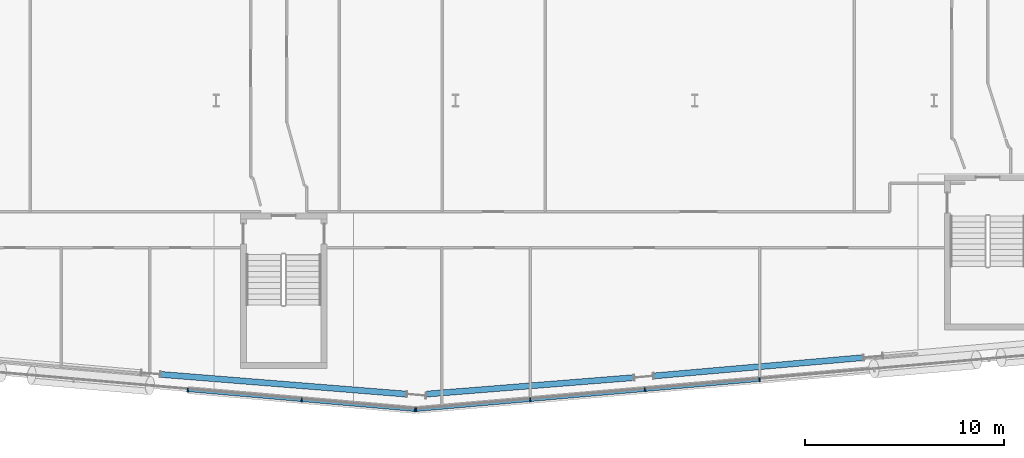
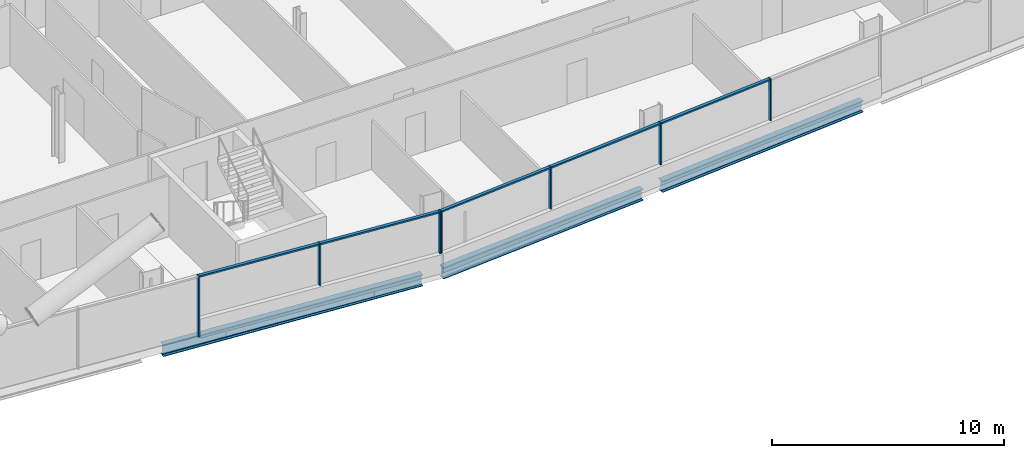
# One storey, part 6 of 27: 12 members, 3 beams, 2 elements without a shape of their own.
"""IFC4 building model written with IfcOpenShell, lengths in metres."""

import ifcopenshell
import ifcopenshell.guid

model = None  # the IFC model being written
_history = None  # IfcOwnerHistory: only IFC2X3 demands one
_inside = {}  # id of a spatial element -> (the spatial element, [elements in it])
_under = {}  # id of a project, library or spatial element -> (it, [spatial elements below it])
_declared = {}  # id of a project -> (the project, [libraries it declares])
_typed = {}  # id of a type object -> (the type object, [elements of that type])
_made_of = {}  # id of a material, layer set ... -> (it, [elements and type objects made of it])


def new_model(schema):
    """Start an empty IFC model of exactly this schema.

    Asked for "IFC4X3", IfcOpenShell would pick the latest addendum, in which some entities
    have other attributes; the version numbers below select the first issue.
    IFC2X3 requires an IfcOwnerHistory on every rooted entity: one is made here for all.
    """
    global model, _history
    if schema == "IFC4X3":
        model = ifcopenshell.file(schema_version=(4, 3, 0, 0))
    else:
        model = ifcopenshell.file(schema=schema)
    _inside.clear()
    _under.clear()
    _declared.clear()
    _typed.clear()
    _made_of.clear()
    _history = None
    if model.schema == "IFC2X3":
        org = make("IfcOrganization", Name="unknown")
        user = make(
            "IfcPersonAndOrganization",
            ThePerson=make("IfcPerson", FamilyName="unknown"),
            TheOrganization=org,
        )
        app = make(
            "IfcApplication",
            ApplicationDeveloper=org,
            Version="unknown",
            ApplicationFullName="unknown",
            ApplicationIdentifier="unknown",
        )
        _history = make(
            "IfcOwnerHistory",
            OwningUser=user,
            OwningApplication=app,
            ChangeAction="ADDED",
            CreationDate=0,
        )
    return model


def make(cls, **values):
    """One entity of the class cls with the attributes given. An attribute that is None is left unset."""
    return model.create_entity(
        cls, **{name: value for name, value in values.items() if value is not None}
    )


def rooted(cls, **values):
    """An entity with a GlobalId (a new one), such as an element, a storey or a relation."""
    return make(cls, GlobalId=ifcopenshell.guid.new(), OwnerHistory=_history, **values)


def si_unit(unit_type, name, prefix=None):
    """IfcSIUnit, for example si_unit("LENGTHUNIT", "METRE", prefix="MILLI")."""
    return make("IfcSIUnit", UnitType=unit_type, Prefix=prefix, Name=name)


def assignment(units):
    """IfcUnitAssignment: the units of a project."""
    return None if units is None else make("IfcUnitAssignment", Units=units)


def point(xyz):
    """IfcCartesianPoint."""
    return None if xyz is None else make("IfcCartesianPoint", Coordinates=xyz)


def direction(xyz):
    """IfcDirection."""
    return None if xyz is None else make("IfcDirection", DirectionRatios=xyz)


def frame(location, z_axis=None, x_axis=None):
    """IfcAxis2Placement3D, a coordinate frame: its origin and axes. An axis left out is left unset."""
    return make(
        "IfcAxis2Placement3D",
        Location=point(location),
        Axis=direction(z_axis),
        RefDirection=direction(x_axis),
    )


def frame_2d(location, x_axis=None):
    """IfcAxis2Placement2D, a coordinate frame in the plane: its origin and x axis."""
    return make(
        "IfcAxis2Placement2D", Location=point(location), RefDirection=direction(x_axis)
    )


def origin():
    """The frame at (0, 0, 0) with its axes left unset."""
    return frame((0.0, 0.0, 0.0))


def origin_2d():
    """The frame at (0, 0) in the plane with its x axis left unset."""
    return frame_2d((0.0, 0.0))


def place(relative_to, where):
    """IfcLocalPlacement: puts the frame where relative to a parent placement (None: the world)."""
    return make(
        "IfcLocalPlacement", PlacementRelTo=relative_to, RelativePlacement=where
    )


def context(
    kind, dimensions, precision=None, world=None, true_north=None, identifier=None
):
    """IfcGeometricRepresentationContext, for example the 3D "Model" context."""
    return make(
        "IfcGeometricRepresentationContext",
        ContextIdentifier=identifier,
        ContextType=kind,
        CoordinateSpaceDimension=dimensions,
        Precision=precision,
        WorldCoordinateSystem=world,
        TrueNorth=true_north,
    )


def subcontext(parent, identifier, kind, view, scale=None):
    """IfcGeometricRepresentationSubContext, for example "Body" below "Model"."""
    return make(
        "IfcGeometricRepresentationSubContext",
        ContextIdentifier=identifier,
        ContextType=kind,
        ParentContext=parent,
        TargetScale=scale,
        TargetView=view,
    )


def project(units=None, contexts=None):
    """IfcProject with its units and contexts."""
    return rooted(
        "IfcProject",
        Name="project",
        RepresentationContexts=contexts,
        UnitsInContext=assignment(units),
    )


def spatial(cls, under=None, at=None, **own):
    """A site, building, storey or space (cls), placed at a placement, below another one or the project."""
    s = rooted(cls, ObjectPlacement=at, **own)
    if under is not None:
        _under.setdefault(under.id(), (under, []))[1].append(s)
    return s


def profile(cls, at=None, kind="AREA", **sizes):
    """A parametric profile (cls). Its sizes go by their IFC names, for example OverallWidth=200.0."""
    return make(cls, ProfileType=kind, Position=at, **sizes)


def rectangle(**sizes):
    """IfcRectangleProfileDef."""
    return profile("IfcRectangleProfileDef", **sizes)


def i_section(**sizes):
    """IfcIShapeProfileDef."""
    return profile("IfcIShapeProfileDef", **sizes)


def extrude(swept, where, along, depth):
    """IfcExtrudedAreaSolid: the profile swept, set in the frame where, extruded along a direction by depth."""
    return make(
        "IfcExtrudedAreaSolid",
        SweptArea=swept,
        Position=where,
        ExtrudedDirection=direction(along),
        Depth=depth,
    )


def shape(context_of_items, identifier, shape_type, items):
    """IfcShapeRepresentation: the items that make up one representation, for example the "Body"."""
    return make(
        "IfcShapeRepresentation",
        ContextOfItems=context_of_items,
        RepresentationIdentifier=identifier,
        RepresentationType=shape_type,
        Items=items,
    )


def material(Name=None, Category=None):
    """IfcMaterial."""
    return make("IfcMaterial", Name=Name, Category=Category)


def material_profile(
    of_material, cross_section, Name=None, Category=None, Priority=None
):
    """IfcMaterialProfile: a cross section and its material."""
    return make(
        "IfcMaterialProfile",
        Name=Name,
        Material=of_material,
        Profile=cross_section,
        Priority=Priority,
        Category=Category,
    )


def profile_set(profiles, Name=None, composite=None):
    """IfcMaterialProfileSet."""
    return make(
        "IfcMaterialProfileSet",
        Name=Name,
        MaterialProfiles=profiles,
        CompositeProfile=composite,
    )


def made_of(thing, what):
    """Note that an element or type object is made of a material, layer set ...; save() writes the relation."""
    if what is not None:
        _made_of.setdefault(what.id(), (what, []))[1].append(thing)
    return thing


def type_object(cls, material=None, **own):
    """A type object (cls), such as IfcWallType, which elements share."""
    return made_of(rooted(cls, **own), material)


def element(
    cls,
    number,
    at=None,
    inside=None,
    cuts=None,
    type_object=None,
    material=None,
    context=None,
    identifier="Body",
    shape_type=None,
    held_by="IfcProductDefinitionShape",
    body=None,
    shapes=None,
    **own,
):
    """One element of the class cls, such as IfcWall. Its Tag is "e" and its number.

    at: its placement. inside: the storey or other place that contains it. cuts: it is an
    opening in that element (IfcRelVoidsElement). A single representation is given by context,
    identifier, shape_type and body (its items); several are given by shapes. held_by: the class
    of the entity that holds the representations. save() writes the other relations.
    """
    e = rooted(cls, Tag="e%d" % number, ObjectPlacement=at, **own)
    if body is not None:
        shapes = [shape(context, identifier, shape_type, body)]
    if shapes is not None:
        e.Representation = make(held_by, Representations=shapes)
    if inside is not None:
        _inside.setdefault(inside.id(), (inside, []))[1].append(e)
    if cuts is not None:
        rooted(
            "IfcRelVoidsElement", RelatingBuildingElement=cuts, RelatedOpeningElement=e
        )
    if type_object is not None:
        _typed.setdefault(type_object.id(), (type_object, []))[1].append(e)
    return made_of(e, material)


def aggregate(whole, parts):
    """IfcRelAggregates: a whole, such as a stair, and the parts it consists of."""
    return rooted("IfcRelAggregates", RelatingObject=whole, RelatedObjects=parts)


def save(model, path):
    """Write the relations noted so far, then the file.

    IfcRelAggregates (storeys below a building ...), IfcRelContainedInSpatialStructure (elements
    in a storey), IfcRelDefinesByType, IfcRelAssociatesMaterial and IfcRelDeclares: one each for
    every whole, place, type object, material and project.
    """
    for whole, parts in _under.values():
        aggregate(whole, parts)
    for where, things in _inside.values():
        rooted(
            "IfcRelContainedInSpatialStructure",
            RelatedElements=things,
            RelatingStructure=where,
        )
    for kind, things in _typed.values():
        rooted("IfcRelDefinesByType", RelatedObjects=things, RelatingType=kind)
    for what, things in _made_of.values():
        rooted("IfcRelAssociatesMaterial", RelatedObjects=things, RelatingMaterial=what)
    for by, libraries in _declared.values():
        rooted("IfcRelDeclares", RelatingContext=by, RelatedDefinitions=libraries)
    model.write(path)


model = new_model("IFC4")

# Units and contexts
model_context = context("Model", 3, precision=1e-05, world=origin(), true_north=direction((0.0, 1.0)))
body_context = subcontext(model_context, "Body", "Model", "MODEL_VIEW")
ifc_project = project(units=[si_unit("LENGTHUNIT", "METRE"), si_unit("AREAUNIT", "SQUARE_METRE"), si_unit("VOLUMEUNIT", "CUBIC_METRE"), si_unit("PLANEANGLEUNIT", "RADIAN"), si_unit("MASSUNIT", "GRAM", prefix="KILO")], contexts=[model_context])

# Site, building, storey
site_placement = place(None, origin())
site = spatial("IfcSite", under=ifc_project, at=site_placement, CompositionType="ELEMENT")
building_placement = place(site_placement, origin())
building = spatial("IfcBuilding", under=site, at=building_placement, Name="Wharfspan Tower", CompositionType="ELEMENT")
storey_placement = place(building_placement, frame((0.0, 0.0, 55.899902)))
storey = spatial("IfcBuildingStorey", under=building, at=storey_placement, Name="L10", CompositionType="ELEMENT", Elevation=55.899902)

# Beams
ifc_material_1 = material(Name="Steel S355J2", Category="steel")
ifc_material_profile_1 = material_profile(ifc_material_1, i_section(OverallWidth=0.300049, OverallDepth=0.600098, WebThickness=0.015381, FlangeThickness=0.030029, FilletRadius=0.0271, at=origin_2d()))
ifc_profile_set_1 = profile_set([ifc_material_profile_1], Name="Steel S355J2")
beam_type = type_object("IfcBeamType", Name="Edge beam HEB 600", PredefinedType="SPANDREL", material=ifc_profile_set_1)
beam_1_placement = place(storey_placement, frame((33.222656, -2.240479, -0.699951), z_axis=(0.996802, -0.079913, 0.0), x_axis=(0.079913, 0.996802, 0.0)))
element("IfcBeam", 1, at=beam_1_placement, inside=storey, type_object=beam_type, Name="Edge beam S1 L10 PS1.3 to PS1.4", PredefinedType="SPANDREL", context=body_context, shape_type="SweptSolid", body=[
    extrude(i_section(OverallWidth=0.300049, OverallDepth=0.600098, WebThickness=0.015381, FlangeThickness=0.030029, FilletRadius=0.0271, at=origin_2d()), origin(), (0.0, 0.0, 1.0), 12.36084),
])
beam_2_placement = place(storey_placement, frame((46.547852, -3.228027, -0.699951), z_axis=(0.996848, 0.079335, 0.0), x_axis=(-0.079335, 0.996848, 0.0)))
element("IfcBeam", 2, at=beam_2_placement, inside=storey, type_object=beam_type, Name="Edge beam S2 L10 PS1.4 to PS2.1", PredefinedType="SPANDREL", context=body_context, shape_type="SweptSolid", body=[
    extrude(i_section(OverallWidth=0.300049, OverallDepth=0.600098, WebThickness=0.015381, FlangeThickness=0.030029, FilletRadius=0.0271, at=origin_2d()), origin(), (0.0, 0.0, 1.0), 10.429199),
])
beam_3_placement = place(storey_placement, frame((57.940674, -2.317383, -0.699951), z_axis=(0.996195, 0.087155, 0.0), x_axis=(-0.087155, 0.996195, 0.0)))
element("IfcBeam", 3, at=beam_3_placement, inside=storey, type_object=beam_type, Name="Edge beam S2 L10 PS2.1 to PS2.2", PredefinedType="SPANDREL", context=body_context, shape_type="SweptSolid", body=[
    extrude(i_section(OverallWidth=0.300049, OverallDepth=0.600098, WebThickness=0.015381, FlangeThickness=0.030029, FilletRadius=0.0271, at=origin_2d()), origin(), (0.0, 0.0, 1.0), 10.543701),
])

# Curtain wall, members
ifc_material_2 = material(Name="Aluminium 6063-T6", Category="aluminium")
curtain_wall_type = type_object("IfcCurtainWallType", Name="CURTAIN WALL FACETED FRONT", PredefinedType="NOTDEFINED", material=ifc_material_2)
curtain_wall_1_placement = place(storey_placement, origin())
curtain_wall_1 = element("IfcCurtainWall", 4, at=curtain_wall_1_placement, inside=storey, type_object=curtain_wall_type, Name="Curtain wall S1", PredefinedType="NOTDEFINED")
ifc_material_profile_2 = material_profile(ifc_material_2, rectangle(XDim=0.199951, YDim=0.060059, at=origin_2d()))
ifc_profile_set_2 = profile_set([ifc_material_profile_2], Name="Aluminium 6063-T6")
member_type_1 = type_object("IfcMemberType", Name="MULLION FACETED FRONT 60x200", PredefinedType="MULLION", material=ifc_profile_set_2)
member_1_placement = place(storey_placement, frame((34.571533, -3.024658, 0.0), z_axis=(0.0, 0.0, 1.0), x_axis=(0.087156, 0.996197, 0.0)))
member_1 = element("IfcMember", 5, at=member_1_placement, type_object=member_type_1, Name="Curtain wall S1 mullion 6", PredefinedType="MULLION", context=body_context, shape_type="SweptSolid", body=[
    extrude(rectangle(XDim=0.199951, YDim=0.060059, at=origin_2d()), origin(), (0.0, 0.0, 1.0), 3.200195),
])
member_2_placement = place(storey_placement, frame((40.285645, -3.524658, 1.0), z_axis=(0.0, 0.0, 1.0), x_axis=(0.087156, 0.996197, 0.0)))
member_2 = element("IfcMember", 6, at=member_2_placement, type_object=member_type_1, Name="Curtain wall S1 mullion 7", PredefinedType="MULLION", context=body_context, shape_type="SweptSolid", body=[
    extrude(rectangle(XDim=0.199951, YDim=0.060059, at=origin_2d()), origin(), (0.0, 0.0, 1.0), 2.200195),
])
member_3_placement = place(storey_placement, frame((45.970215, -4.021973, 1.0), z_axis=(0.0, 0.0, 1.0), x_axis=(0.087156, 0.996197, 0.0)))
member_3 = element("IfcMember", 7, at=member_3_placement, type_object=member_type_1, Name="Curtain wall S1 mullion 8", PredefinedType="MULLION", context=body_context, shape_type="SweptSolid", body=[
    extrude(rectangle(XDim=0.199951, YDim=0.060059, at=origin_2d()), origin(), (0.0, 0.0, 1.0), 2.200195),
])

curtain_wall_2_placement = place(storey_placement, origin())
curtain_wall_2 = element("IfcCurtainWall", 8, at=curtain_wall_2_placement, inside=storey, type_object=curtain_wall_type, Name="Curtain wall S2", PredefinedType="NOTDEFINED")
member_4_placement = place(storey_placement, frame((46.029785, -4.021973, 1.0), z_axis=(0.0, 0.0, 1.0), x_axis=(-0.087156, 0.996197, 0.0)))
member_4 = element("IfcMember", 9, at=member_4_placement, type_object=member_type_1, Name="Curtain wall S2 mullion 1", PredefinedType="MULLION", context=body_context, shape_type="SweptSolid", body=[
    extrude(rectangle(XDim=0.199951, YDim=0.060059, at=origin_2d()), origin(), (0.0, 0.0, 1.0), 2.200195),
])
member_5_placement = place(storey_placement, frame((51.75, -3.521484, 1.0), z_axis=(0.0, 0.0, 1.0), x_axis=(-0.087156, 0.996197, 0.0)))
member_5 = element("IfcMember", 10, at=member_5_placement, type_object=member_type_1, Name="Curtain wall S2 mullion 2", PredefinedType="MULLION", context=body_context, shape_type="SweptSolid", body=[
    extrude(rectangle(XDim=0.199951, YDim=0.060059, at=origin_2d()), origin(), (0.0, 0.0, 1.0), 2.200195),
])
member_6_placement = place(storey_placement, frame((57.5, -3.018311, 1.0), z_axis=(0.0, 0.0, 1.0), x_axis=(-0.087156, 0.996197, 0.0)))
member_6 = element("IfcMember", 11, at=member_6_placement, type_object=member_type_1, Name="Curtain wall S2 mullion 3", PredefinedType="MULLION", context=body_context, shape_type="SweptSolid", body=[
    extrude(rectangle(XDim=0.199951, YDim=0.060059, at=origin_2d()), origin(), (0.0, 0.0, 1.0), 2.200195),
])
member_7_placement = place(storey_placement, frame((63.25, -2.515381, 1.0), z_axis=(0.0, 0.0, 1.0), x_axis=(-0.087156, 0.996197, 0.0)))
member_7 = element("IfcMember", 12, at=member_7_placement, type_object=member_type_1, Name="Curtain wall S2 mullion 4", PredefinedType="MULLION", context=body_context, shape_type="SweptSolid", body=[
    extrude(rectangle(XDim=0.199951, YDim=0.060059, at=origin_2d()), origin(), (0.0, 0.0, 1.0), 2.200195),
])

# Member
ifc_material_profile_3 = material_profile(ifc_material_2, rectangle(XDim=0.159912, YDim=0.080078, at=origin_2d()))
ifc_profile_set_3 = profile_set([ifc_material_profile_3], Name="Aluminium 6063-T6")
member_type_2 = type_object("IfcMemberType", Name="TRANSOM FACETED FRONT 80x160", PredefinedType="USERDEFINED", material=ifc_profile_set_3)
member_8_placement = place(storey_placement, frame((34.601318, -3.027344, 3.160156), z_axis=(0.996196, -0.087142, 0.0), x_axis=(0.087142, 0.996196, 0.0)))
member_8 = element("IfcMember", 13, at=member_8_placement, type_object=member_type_2, Name="Curtain wall S1 transom 6", ObjectType="TRANSOM", PredefinedType="USERDEFINED", context=body_context, shape_type="SweptSolid", body=[
    extrude(rectangle(XDim=0.159912, YDim=0.080078, at=origin_2d()), origin(), (0.0, 0.0, 1.0), 5.676025),
])

member_9_placement = place(storey_placement, frame((40.315674, -3.5271, 3.160156), z_axis=(0.996193, -0.087174, 0.0), x_axis=(0.087174, 0.996193, 0.0)))
member_9 = element("IfcMember", 14, at=member_9_placement, type_object=member_type_2, Name="Curtain wall S1 transom 7", ObjectType="TRANSOM", PredefinedType="USERDEFINED", context=body_context, shape_type="SweptSolid", body=[
    extrude(rectangle(XDim=0.159912, YDim=0.080078, at=origin_2d()), origin(), (0.0, 0.0, 1.0), 5.645996),
])

aggregate(curtain_wall_1, [member_1, member_2, member_3, member_8, member_9])

member_10_placement = place(storey_placement, frame((46.059814, -4.019287, 3.160156), z_axis=(0.996193, 0.08718, 0.0), x_axis=(-0.08718, 0.996193, 0.0)))
member_10 = element("IfcMember", 15, at=member_10_placement, type_object=member_type_2, Name="Curtain wall S2 transom 1", ObjectType="TRANSOM", PredefinedType="USERDEFINED", context=body_context, shape_type="SweptSolid", body=[
    extrude(rectangle(XDim=0.159912, YDim=0.080078, at=origin_2d()), origin(), (0.0, 0.0, 1.0), 5.682129),
])

member_11_placement = place(storey_placement, frame((51.779785, -3.518799, 3.160156), z_axis=(0.996195, 0.087148, 0.0), x_axis=(-0.087148, 0.996195, 0.0)))
member_11 = element("IfcMember", 16, at=member_11_placement, type_object=member_type_2, Name="Curtain wall S2 transom 2", ObjectType="TRANSOM", PredefinedType="USERDEFINED", context=body_context, shape_type="SweptSolid", body=[
    extrude(rectangle(XDim=0.159912, YDim=0.080078, at=origin_2d()), origin(), (0.0, 0.0, 1.0), 5.712158),
])

member_12_placement = place(storey_placement, frame((57.529785, -3.015625, 3.160156), z_axis=(0.996195, 0.087148, 0.0), x_axis=(-0.087148, 0.996195, 0.0)))
member_12 = element("IfcMember", 17, at=member_12_placement, type_object=member_type_2, Name="Curtain wall S2 transom 3", ObjectType="TRANSOM", PredefinedType="USERDEFINED", context=body_context, shape_type="SweptSolid", body=[
    extrude(rectangle(XDim=0.159912, YDim=0.080078, at=origin_2d()), origin(), (0.0, 0.0, 1.0), 5.712158),
])

aggregate(curtain_wall_2, [member_4, member_5, member_6, member_7, member_10, member_11, member_12])

save(model, "model.ifc")
